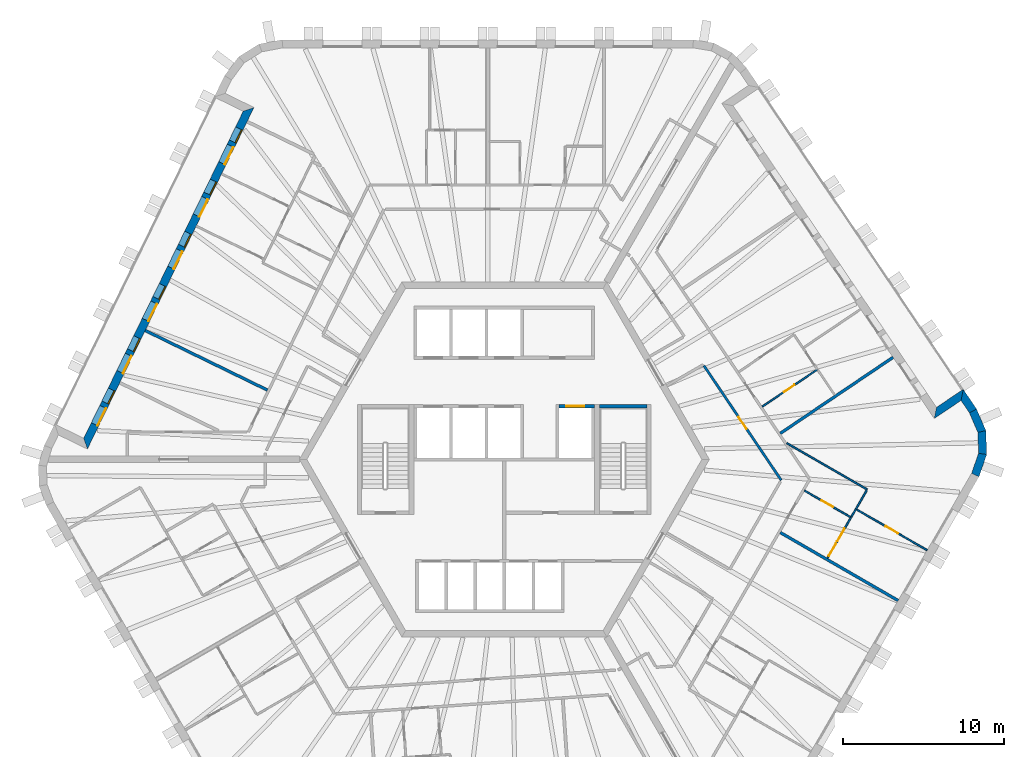
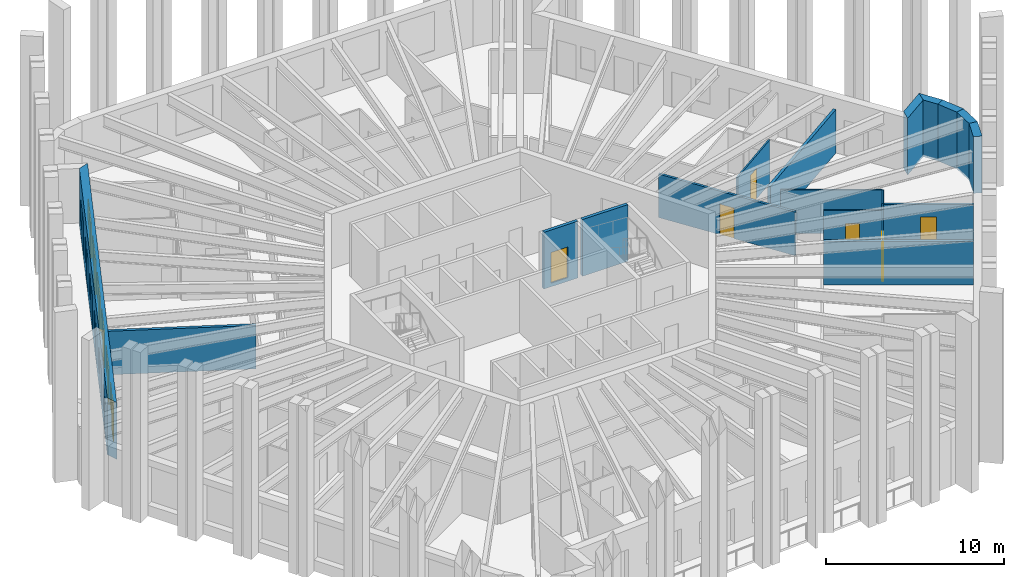
# One storey, part 7 of 12: 19 walls, 13 doors, 6 windows, 19 openings.
"""IFC4 building model written with IfcOpenShell, lengths in metres."""

from ifc_helpers import new_model, si_unit, direction, frame, frame_2d, origin, place, context, subcontext, project, spatial, polyline, rectangle, outline, extrude, material, layer, layer_set, type_object, element, fill, save


model = new_model("IFC4")

# Units and contexts
model_context = context("Model", 3, precision=1e-05, world=origin(), true_north=direction((0.0, 1.0)))
body_context = subcontext(model_context, "Body", "Model", "MODEL_VIEW")
ifc_project = project(units=[si_unit("LENGTHUNIT", "METRE"), si_unit("AREAUNIT", "SQUARE_METRE"), si_unit("VOLUMEUNIT", "CUBIC_METRE"), si_unit("PLANEANGLEUNIT", "RADIAN"), si_unit("MASSUNIT", "GRAM", prefix="KILO")], contexts=[model_context])

# Site, building, storey
site_placement = place(None, origin())
site = spatial("IfcSite", under=ifc_project, at=site_placement, CompositionType="ELEMENT")
building_placement = place(site_placement, origin())
building = spatial("IfcBuilding", under=site, at=building_placement, Name="Tarnside Tower", CompositionType="ELEMENT")
storey_placement = place(building_placement, frame((0.0, 0.0, 291.300048828125)))
storey = spatial("IfcBuildingStorey", under=building, at=storey_placement, Name="L70", CompositionType="ELEMENT", Elevation=291.300048828125)

# Walls
ifc_material_1 = material(Name="Gypsum board partition on steel studs", Category="steel")
ifc_layer_1 = layer(ifc_material_1, 0.10009765625)
ifc_layer_set_1 = layer_set([ifc_layer_1], Name="Bathroom wall 100")
wall_type_1 = type_object("IfcWallType", Name="Bathroom wall 100", PredefinedType="PARTITIONING", material=ifc_layer_set_1)
wall_1_placement = place(storey_placement, frame((17.50390625, 1.0078125, 0.0), z_axis=(0.0, 0.0, 1.0), x_axis=(0.866022112445, -0.500005700723, 0.0)))
element("IfcWall", 1, at=wall_1_placement, inside=storey, type_object=wall_type_1, Name="Bathroom wall 23149", PredefinedType="PARTITIONING", context=body_context, shape_type="SweptSolid", body=[
    extrude(rectangle(XDim=5.7451171875, YDim=0.10009765625, at=frame_2d((2.87255859375, 0.0))), origin(), (0.0, 0.0, 1.0), 2.98779296875),
])
wall_2_placement = place(storey_placement, frame((22.454345703125, -1.907958984375, 0.0), z_axis=(0.0, 0.0, 1.0), x_axis=(-0.500003806764, -0.866023205937, 0.0)))
element("IfcWall", 2, at=wall_2_placement, inside=storey, type_object=wall_type_1, Name="Bathroom wall 23150", PredefinedType="PARTITIONING", context=body_context, shape_type="SweptSolid", body=[
    extrude(rectangle(XDim=1.35205078125, YDim=0.10009765625, at=frame_2d((0.676025390625, 0.0))), origin(), (0.0, 0.0, 1.0), 2.98779296875),
])

# Wall, opening, door
wall_3_placement = place(storey_placement, frame((21.479248046875, -3.5966796875, 0.0), z_axis=(0.0, 0.0, 1.0), x_axis=(-0.866033959199, 0.499985181294, 0.0)))
wall_3 = element("IfcWall", 3, at=wall_3_placement, inside=storey, type_object=wall_type_1, Name="Bathroom wall 23154", PredefinedType="PARTITIONING", context=body_context, shape_type="SweptSolid", body=[
    extrude(rectangle(XDim=3.32470703125, YDim=0.10009765625, at=frame_2d((1.662353515625, 0.0))), origin(), (0.0, 0.0, 1.0), 2.98779296875),
])
opening_1_placement = place(wall_3_placement, frame((1.300048828125, 0.0, 0.0)))
opening_1 = element("IfcOpeningElement", 4, at=opening_1_placement, cuts=wall_3, Name="Opening D-B1", PredefinedType="OPENING", context=body_context, shape_type="SweptSolid", body=[
    extrude(rectangle(XDim=0.800048828125, YDim=2.10009765625, at=frame_2d((0.39990234375, 1.050048828125))), frame((0.0, 0.06005859375, 0.0), z_axis=(0.0, -1.0, 0.0), x_axis=(1.0, 0.0, 0.0)), (0.0, 0.0, 1.0), 0.1201171875),
])
ifc_material_2 = material(Name="Timber door leaf", Category="wood")
door_type_1 = type_object("IfcDoorType", Name="Bathroom door 800", OperationType="NOTDEFINED", PredefinedType="DOOR", material=ifc_material_2)
door_1_placement = place(opening_1_placement, origin())
door_1 = element("IfcDoor", 5, at=door_1_placement, inside=storey, type_object=door_type_1, Name="Bathroom door 23047", OperationType="SINGLE_SWING_LEFT", OverallHeight=2.10009765625, OverallWidth=0.800048828125, PredefinedType="DOOR", context=body_context, shape_type="SweptSolid", body=[
    extrude(rectangle(XDim=0.800048828125, YDim=2.10009765625, at=frame_2d((0.39990234375, 1.050048828125))), frame((0.0, 0.02490234375, 0.0), z_axis=(0.0, -1.0, 0.0), x_axis=(1.0, 0.0, 0.0)), (0.0, 0.0, 1.0), 0.050048828125),
])
fill(opening_1, door_1)

# Wall
wall_4_placement = place(storey_placement, frame((21.50341796875, -3.55517578125, 0.0), z_axis=(0.0, 0.0, 1.0), x_axis=(0.499850094852, 0.866111934265, 0.0)))
element("IfcWall", 6, at=wall_4_placement, inside=storey, type_object=wall_type_1, Name="Bathroom wall 23156", PredefinedType="PARTITIONING", context=body_context, shape_type="SweptSolid", body=[
    extrude(rectangle(XDim=0.552001953125, YDim=0.10009765625, at=frame_2d((0.27587890625, 0.0))), origin(), (0.0, 0.0, 1.0), 2.98779296875),
])

# Wall, opening, door
wall_5_placement = place(storey_placement, frame((15.978515625, 3.269287109375, 0.0), z_axis=(0.0, 0.0, 1.0), x_axis=(0.829051710838, 0.559171942033, 0.0)))
wall_5 = element("IfcWall", 7, at=wall_5_placement, inside=storey, type_object=wall_type_1, Name="Bathroom wall 23161", PredefinedType="PARTITIONING", context=body_context, shape_type="SweptSolid", body=[
    extrude(rectangle(XDim=4.125, YDim=0.10009765625, at=frame_2d((2.0625, 0.0))), origin(), (0.0, 0.0, 1.0), 2.98779296875),
])
opening_2_placement = place(wall_5_placement, frame((1.625, 0.0, 0.0)))
opening_2 = element("IfcOpeningElement", 8, at=opening_2_placement, cuts=wall_5, Name="Opening D-B1", PredefinedType="OPENING", context=body_context, shape_type="SweptSolid", body=[
    extrude(rectangle(XDim=0.800048828125, YDim=2.10009765625, at=frame_2d((0.39990234375, 1.050048828125))), frame((0.0, 0.06005859375, 0.0), z_axis=(0.0, -1.0, 0.0), x_axis=(1.0, 0.0, 0.0)), (0.0, 0.0, 1.0), 0.1201171875),
])
door_2_placement = place(opening_2_placement, origin())
door_2 = element("IfcDoor", 9, at=door_2_placement, inside=storey, type_object=door_type_1, Name="Bathroom door 23052", OperationType="SINGLE_SWING_RIGHT", OverallHeight=2.10009765625, OverallWidth=0.800048828125, PredefinedType="DOOR", context=body_context, shape_type="SweptSolid", body=[
    extrude(rectangle(XDim=0.800048828125, YDim=2.10009765625, at=frame_2d((0.39990234375, 1.050048828125))), frame((0.0, 0.02490234375, 0.0), z_axis=(0.0, -1.0, 0.0), x_axis=(1.0, 0.0, 0.0)), (0.0, 0.0, 1.0), 0.050048828125),
])
fill(opening_2, door_2)

ifc_layer_2 = layer(ifc_material_1, 0.14990234375)
ifc_layer_set_2 = layer_set([ifc_layer_2], Name="Corridor wall 150 EI 60")
wall_type_2 = type_object("IfcWallType", Name="Corridor wall 150 EI 60", PredefinedType="PARTITIONING", material=ifc_layer_set_2)
wall_6_placement = place(storey_placement, frame((12.36669921875, 5.8076171875, 0.0), z_axis=(0.0, 0.0, 1.0), x_axis=(0.559187256666, -0.829041381345, 0.0)))
wall_6 = element("IfcWall", 10, at=wall_6_placement, inside=storey, type_object=wall_type_2, Name="Corridor wall 23070", PredefinedType="PARTITIONING", context=body_context, shape_type="SweptSolid", body=[
    extrude(rectangle(XDim=8.560302734375, YDim=0.14990234375, at=frame_2d((4.2802734375, 0.0))), origin(), (0.0, 0.0, 1.0), 2.98779296875),
])
opening_3_placement = place(wall_6_placement, frame((3.830078125, 0.0, 0.0)))
opening_3 = element("IfcOpeningElement", 11, at=opening_3_placement, cuts=wall_6, Name="Opening D-S1", PredefinedType="OPENING", context=body_context, shape_type="SweptSolid", body=[
    extrude(rectangle(XDim=0.89990234375, YDim=2.10009765625, at=frame_2d((0.449951171875, 1.050048828125))), frame((0.0, 0.0849609375, 0.0), z_axis=(0.0, -1.0, 0.0), x_axis=(1.0, 0.0, 0.0)), (0.0, 0.0, 1.0), 0.169921875),
])
door_type_2 = type_object("IfcDoorType", Name="Service room door 900 FD30S", OperationType="NOTDEFINED", PredefinedType="DOOR", material=ifc_material_2)
door_3_placement = place(opening_3_placement, origin())
door_3 = element("IfcDoor", 12, at=door_3_placement, inside=storey, type_object=door_type_2, Name="Service door 23062", OperationType="SINGLE_SWING_RIGHT", OverallHeight=2.10009765625, OverallWidth=0.89990234375, PredefinedType="DOOR", context=body_context, shape_type="SweptSolid", body=[
    extrude(rectangle(XDim=0.89990234375, YDim=2.10009765625, at=frame_2d((0.449951171875, 1.050048828125))), frame((0.0, 0.02490234375, 0.0), z_axis=(0.0, -1.0, 0.0), x_axis=(1.0, 0.0, 0.0)), (0.0, 0.0, 1.0), 0.050048828125),
])
fill(opening_3, door_3)

# Walls
ifc_layer_3 = layer(ifc_material_1, 0.179931640625)
ifc_layer_set_3 = layer_set([ifc_layer_3], Name="Demising wall 180 EI 60")
wall_type_3 = type_object("IfcWallType", Name="Demising wall 180 EI 60", PredefinedType="PARTITIONING", material=ifc_layer_set_3)
for number, where, z_axis, x_axis, name in (
    (13, (-22.25048828125, 7.987060546875, 0.0), (0.0, 0.0, 1.0), (0.898788496909, -0.438382524543, 0.0), "Demising wall 23103"),
    (14, (24.39599609375, -8.744873046875, 0.0), (0.0, 0.0, 1.0), (-0.866014270972, 0.500019282102, 0.0), "Demising wall 23142"),
    (15, (24.08154296875, 6.322509765625, 0.0), (0.0, 0.0, 1.0), (-0.829037762759, -0.559192621481, 0.0), "Demising wall 23152"),
):
    element("IfcWall", number, at=place(storey_placement, frame(where, z_axis=z_axis, x_axis=x_axis)), inside=storey, type_object=wall_type_3, Name=name, PredefinedType="PARTITIONING", context=body_context, shape_type="SweptSolid", body=[
        extrude(rectangle(XDim=8.425048828125, YDim=0.179931640625, at=frame_2d((4.21240234375, 0.0))), origin(), (0.0, 0.0, 1.0), 2.98779296875),
    ])

# Wall, opening, door
ifc_material_3 = material(Name="Concrete C40/50", Category="concrete")
ifc_layer_4 = layer(ifc_material_3, 0.199951171875)
ifc_layer_set_4 = layer_set([ifc_layer_4], Name="Lift shaft wall 200 C40/50")
wall_type_4 = type_object("IfcWallType", Name="Lift shaft wall 200 C40/50", PredefinedType="SHEAR", material=ifc_layer_set_4)
wall_7_placement = place(storey_placement, frame((3.39990234375, 3.300048828125, -0.25), z_axis=(0.0, 0.0, 1.0), x_axis=(1.0, 0.0, 0.0)))
wall_7 = element("IfcWall", 16, at=wall_7_placement, inside=storey, type_object=wall_type_4, Name="L70 lift shaft front wall R2 2", PredefinedType="SHEAR", context=body_context, shape_type="SweptSolid", body=[
    extrude(rectangle(XDim=2.2001953125, YDim=0.199951171875, at=frame_2d((1.10009765625, 0.0))), origin(), (0.0, 0.0, 1.0), 3.89990234375),
])
opening_4_placement = place(wall_7_placement, frame((0.449951171875, 0.0, 0.25)))
opening_4 = element("IfcOpeningElement", 17, at=opening_4_placement, cuts=wall_7, Name="Opening LD", PredefinedType="OPENING", context=body_context, shape_type="SweptSolid", body=[
    extrude(rectangle(XDim=1.10009765625, YDim=2.10009765625, at=frame_2d((0.550048828125, 1.050048828125))), frame((0.0, 0.10986328125, 0.0), z_axis=(0.0, -1.0, 0.0), x_axis=(1.0, 0.0, 0.0)), (0.0, 0.0, 1.0), 0.219970703125),
])
ifc_material_4 = material(Name="Stainless steel", Category="steel")
door_type_3 = type_object("IfcDoorType", Name="Lift landing door 1100x2100", OperationType="NOTDEFINED", PredefinedType="DOOR", material=ifc_material_4)
door_4_placement = place(opening_4_placement, origin())
door_4 = element("IfcDoor", 18, at=door_4_placement, inside=storey, type_object=door_type_3, Name="Express sky-lobby shuttle 2 landing door L70", OperationType="SLIDING_TO_LEFT", OverallHeight=2.10009765625, OverallWidth=1.10009765625, PredefinedType="DOOR", context=body_context, shape_type="SweptSolid", body=[
    extrude(rectangle(XDim=1.10009765625, YDim=2.10009765625, at=frame_2d((0.550048828125, 1.050048828125))), frame((0.0, 0.02490234375, 0.0), z_axis=(0.0, -1.0, 0.0), x_axis=(1.0, 0.0, 0.0)), (0.0, 0.0, 1.0), 0.050048828125),
])
fill(opening_4, door_4)

# Wall
wall_8_placement = place(storey_placement, frame((5.89990234375, 3.300048828125, -0.25), z_axis=(0.0, 0.0, 1.0), x_axis=(1.0, 0.0, 0.0)))
element("IfcWall", 19, at=wall_8_placement, inside=storey, type_object=wall_type_4, Name="L70 stair 1 enclosure cap wall n", PredefinedType="SHEAR", context=body_context, shape_type="SweptSolid", body=[
    extrude(rectangle(XDim=2.9501953125, YDim=0.199951171875, at=frame_2d((1.47509765625, 0.0))), origin(), (0.0, 0.0, 1.0), 3.89990234375),
])

# Wall, openings, doors, windows
ifc_material_5 = material(Name="Dark zinc cladding")
ifc_layer_5 = layer(ifc_material_5, 0.10205078125)
ifc_material_6 = material(Name="Concrete C60/75 precast", Category="concrete")
ifc_layer_6 = layer(ifc_material_6, 0.298095703125)
ifc_material_7 = material(Name="Mineral wool insulation")
ifc_layer_7 = layer(ifc_material_7, 0.10009765625)
ifc_layer_set_5 = layer_set([ifc_layer_5, ifc_layer_6, ifc_layer_7], Name="Loggia wall 500 zinc faced")
wall_type_5 = type_object("IfcWallType", Name="Loggia wall 500 zinc faced", PredefinedType="SOLIDWALL", material=ifc_layer_set_5)
wall_9_placement = place(storey_placement, frame((-15.845947265625, 21.6884765625, -0.150146484375), z_axis=(0.0, 0.0, 1.0), x_axis=(-0.438377502627, -0.898790946322, 0.0)))
wall_9 = element("IfcWall", 20, at=wall_9_placement, inside=storey, type_object=wall_type_5, Name="Tube wall L70 F2 back 06", PredefinedType="SOLIDWALL", context=body_context, shape_type="SweptSolid", body=[
    extrude(outline(polyline([(0.25, -0.25), (22.794677734375, -0.25), (23.294677734375, 0.25), (-0.25, 0.25), (0.25, -0.25)])), origin(), (0.0, 0.0, 1.0), 3.900146484375),
])
opening_5_placement = place(wall_9_placement, frame((1.322509765625, 0.0, 1.050048828125)))
opening_5 = element("IfcOpeningElement", 21, at=opening_5_placement, cuts=wall_9, Name="Opening WL500", PredefinedType="OPENING", context=body_context, shape_type="SweptSolid", body=[
    extrude(rectangle(XDim=0.89990234375, YDim=1.5, at=frame_2d((0.449951171875, 0.75))), frame((0.0, 0.260009765625, 0.0), z_axis=(0.0, -1.0, 0.0), x_axis=(1.0, 0.0, 0.0)), (0.0, 0.0, 1.0), 0.52001953125),
])
opening_6_placement = place(wall_9_placement, frame((2.5224609375, 0.0, 0.14990234375)))
opening_6 = element("IfcOpeningElement", 22, at=opening_6_placement, cuts=wall_9, Name="Opening DB500", PredefinedType="OPENING", context=body_context, shape_type="SweptSolid", body=[
    extrude(rectangle(XDim=1.199951171875, YDim=2.39990234375, at=frame_2d((0.60009765625, 1.199951171875))), frame((0.0, 0.260009765625, 0.0), z_axis=(0.0, -1.0, 0.0), x_axis=(1.0, 0.0, 0.0)), (0.0, 0.0, 1.0), 0.52001953125),
])
opening_7_placement = place(wall_9_placement, frame((4.92236328125, 0.0, 1.050048828125)))
opening_7 = element("IfcOpeningElement", 23, at=opening_7_placement, cuts=wall_9, Name="Opening WL500", PredefinedType="OPENING", context=body_context, shape_type="SweptSolid", body=[
    extrude(rectangle(XDim=0.89990234375, YDim=1.5, at=frame_2d((0.449951171875, 0.75))), frame((0.0, 0.260009765625, 0.0), z_axis=(0.0, -1.0, 0.0), x_axis=(1.0, 0.0, 0.0)), (0.0, 0.0, 1.0), 0.52001953125),
])
opening_8_placement = place(wall_9_placement, frame((6.122314453125, 0.0, 0.14990234375)))
opening_8 = element("IfcOpeningElement", 24, at=opening_8_placement, cuts=wall_9, Name="Opening DB500", PredefinedType="OPENING", context=body_context, shape_type="SweptSolid", body=[
    extrude(rectangle(XDim=1.199951171875, YDim=2.39990234375, at=frame_2d((0.60009765625, 1.199951171875))), frame((0.0, 0.260009765625, 0.0), z_axis=(0.0, -1.0, 0.0), x_axis=(1.0, 0.0, 0.0)), (0.0, 0.0, 1.0), 0.52001953125),
])
opening_9_placement = place(wall_9_placement, frame((8.5224609375, 0.0, 1.050048828125)))
opening_9 = element("IfcOpeningElement", 25, at=opening_9_placement, cuts=wall_9, Name="Opening WL500", PredefinedType="OPENING", context=body_context, shape_type="SweptSolid", body=[
    extrude(rectangle(XDim=0.89990234375, YDim=1.5, at=frame_2d((0.449951171875, 0.75))), frame((0.0, 0.260009765625, 0.0), z_axis=(0.0, -1.0, 0.0), x_axis=(1.0, 0.0, 0.0)), (0.0, 0.0, 1.0), 0.52001953125),
])
opening_10_placement = place(wall_9_placement, frame((9.722412109375, 0.0, 0.14990234375)))
opening_10 = element("IfcOpeningElement", 26, at=opening_10_placement, cuts=wall_9, Name="Opening DB500", PredefinedType="OPENING", context=body_context, shape_type="SweptSolid", body=[
    extrude(rectangle(XDim=1.199951171875, YDim=2.39990234375, at=frame_2d((0.60009765625, 1.199951171875))), frame((0.0, 0.260009765625, 0.0), z_axis=(0.0, -1.0, 0.0), x_axis=(1.0, 0.0, 0.0)), (0.0, 0.0, 1.0), 0.52001953125),
])
opening_11_placement = place(wall_9_placement, frame((12.122314453125, 0.0, 1.050048828125)))
opening_11 = element("IfcOpeningElement", 27, at=opening_11_placement, cuts=wall_9, Name="Opening WL500", PredefinedType="OPENING", context=body_context, shape_type="SweptSolid", body=[
    extrude(rectangle(XDim=0.89990234375, YDim=1.5, at=frame_2d((0.449951171875, 0.75))), frame((0.0, 0.260009765625, 0.0), z_axis=(0.0, -1.0, 0.0), x_axis=(1.0, 0.0, 0.0)), (0.0, 0.0, 1.0), 0.52001953125),
])
opening_12_placement = place(wall_9_placement, frame((13.322509765625, 0.0, 0.14990234375)))
opening_12 = element("IfcOpeningElement", 28, at=opening_12_placement, cuts=wall_9, Name="Opening DB500", PredefinedType="OPENING", context=body_context, shape_type="SweptSolid", body=[
    extrude(rectangle(XDim=1.199951171875, YDim=2.39990234375, at=frame_2d((0.60009765625, 1.199951171875))), frame((0.0, 0.260009765625, 0.0), z_axis=(0.0, -1.0, 0.0), x_axis=(1.0, 0.0, 0.0)), (0.0, 0.0, 1.0), 0.52001953125),
])
opening_13_placement = place(wall_9_placement, frame((15.722412109375, 0.0, 1.050048828125)))
opening_13 = element("IfcOpeningElement", 29, at=opening_13_placement, cuts=wall_9, Name="Opening WL500", PredefinedType="OPENING", context=body_context, shape_type="SweptSolid", body=[
    extrude(rectangle(XDim=0.89990234375, YDim=1.5, at=frame_2d((0.449951171875, 0.75))), frame((0.0, 0.260009765625, 0.0), z_axis=(0.0, -1.0, 0.0), x_axis=(1.0, 0.0, 0.0)), (0.0, 0.0, 1.0), 0.52001953125),
])
opening_14_placement = place(wall_9_placement, frame((16.92236328125, 0.0, 0.14990234375)))
opening_14 = element("IfcOpeningElement", 30, at=opening_14_placement, cuts=wall_9, Name="Opening DB500", PredefinedType="OPENING", context=body_context, shape_type="SweptSolid", body=[
    extrude(rectangle(XDim=1.199951171875, YDim=2.39990234375, at=frame_2d((0.60009765625, 1.199951171875))), frame((0.0, 0.260009765625, 0.0), z_axis=(0.0, -1.0, 0.0), x_axis=(1.0, 0.0, 0.0)), (0.0, 0.0, 1.0), 0.52001953125),
])
opening_15_placement = place(wall_9_placement, frame((19.322509765625, 0.0, 1.050048828125)))
opening_15 = element("IfcOpeningElement", 31, at=opening_15_placement, cuts=wall_9, Name="Opening WL500", PredefinedType="OPENING", context=body_context, shape_type="SweptSolid", body=[
    extrude(rectangle(XDim=0.89990234375, YDim=1.5, at=frame_2d((0.449951171875, 0.75))), frame((0.0, 0.260009765625, 0.0), z_axis=(0.0, -1.0, 0.0), x_axis=(1.0, 0.0, 0.0)), (0.0, 0.0, 1.0), 0.52001953125),
])
opening_16_placement = place(wall_9_placement, frame((20.5224609375, 0.0, 0.14990234375)))
opening_16 = element("IfcOpeningElement", 32, at=opening_16_placement, cuts=wall_9, Name="Opening DB500", PredefinedType="OPENING", context=body_context, shape_type="SweptSolid", body=[
    extrude(rectangle(XDim=1.199951171875, YDim=2.39990234375, at=frame_2d((0.60009765625, 1.199951171875))), frame((0.0, 0.260009765625, 0.0), z_axis=(0.0, -1.0, 0.0), x_axis=(1.0, 0.0, 0.0)), (0.0, 0.0, 1.0), 0.52001953125),
])
ifc_material_8 = material(Name="Aluminium-framed double glazing", Category="aluminium")
door_type_4 = type_object("IfcDoorType", Name="Balcony sliding door 1200 x 2400 in 500 wall", OperationType="SLIDING_TO_LEFT", PredefinedType="DOOR", material=ifc_material_8)
door_5_placement = place(opening_6_placement, frame((0.0, 0.1748046875, 0.0)))
door_5 = element("IfcDoor", 33, at=door_5_placement, inside=storey, type_object=door_type_4, Name="E.BD.L70.F2.00", OperationType="SLIDING_TO_LEFT", OverallHeight=2.39990234375, OverallWidth=1.199951171875, PredefinedType="DOOR", context=body_context, shape_type="SweptSolid", body=[
    extrude(rectangle(XDim=1.199951171875, YDim=2.39990234375, at=frame_2d((0.60009765625, 1.199951171875))), frame((0.0, 0.02490234375, 0.0), z_axis=(0.0, -1.0, 0.0), x_axis=(1.0, 0.0, 0.0)), (0.0, 0.0, 1.0), 0.050048828125),
])
fill(opening_6, door_5)
door_6_placement = place(opening_8_placement, frame((0.0, 0.1748046875, 0.0)))
door_6 = element("IfcDoor", 34, at=door_6_placement, inside=storey, type_object=door_type_4, Name="E.BD.L70.F2.01", OperationType="SLIDING_TO_LEFT", OverallHeight=2.39990234375, OverallWidth=1.199951171875, PredefinedType="DOOR", context=body_context, shape_type="SweptSolid", body=[
    extrude(rectangle(XDim=1.199951171875, YDim=2.39990234375, at=frame_2d((0.60009765625, 1.199951171875))), frame((0.0, 0.02490234375, 0.0), z_axis=(0.0, -1.0, 0.0), x_axis=(1.0, 0.0, 0.0)), (0.0, 0.0, 1.0), 0.050048828125),
])
fill(opening_8, door_6)
door_7_placement = place(opening_10_placement, frame((0.0, 0.1748046875, 0.0)))
door_7 = element("IfcDoor", 35, at=door_7_placement, inside=storey, type_object=door_type_4, Name="E.BD.L70.F2.02", OperationType="SLIDING_TO_LEFT", OverallHeight=2.39990234375, OverallWidth=1.199951171875, PredefinedType="DOOR", context=body_context, shape_type="SweptSolid", body=[
    extrude(rectangle(XDim=1.199951171875, YDim=2.39990234375, at=frame_2d((0.60009765625, 1.199951171875))), frame((0.0, 0.02490234375, 0.0), z_axis=(0.0, -1.0, 0.0), x_axis=(1.0, 0.0, 0.0)), (0.0, 0.0, 1.0), 0.050048828125),
])
fill(opening_10, door_7)
door_8_placement = place(opening_12_placement, frame((0.0, 0.1748046875, 0.0)))
door_8 = element("IfcDoor", 36, at=door_8_placement, inside=storey, type_object=door_type_4, Name="E.BD.L70.F2.03", OperationType="SLIDING_TO_LEFT", OverallHeight=2.39990234375, OverallWidth=1.199951171875, PredefinedType="DOOR", context=body_context, shape_type="SweptSolid", body=[
    extrude(rectangle(XDim=1.199951171875, YDim=2.39990234375, at=frame_2d((0.60009765625, 1.199951171875))), frame((0.0, 0.02490234375, 0.0), z_axis=(0.0, -1.0, 0.0), x_axis=(1.0, 0.0, 0.0)), (0.0, 0.0, 1.0), 0.050048828125),
])
fill(opening_12, door_8)
door_9_placement = place(opening_14_placement, frame((0.0, 0.1748046875, 0.0)))
door_9 = element("IfcDoor", 37, at=door_9_placement, inside=storey, type_object=door_type_4, Name="E.BD.L70.F2.04", OperationType="SLIDING_TO_LEFT", OverallHeight=2.39990234375, OverallWidth=1.199951171875, PredefinedType="DOOR", context=body_context, shape_type="SweptSolid", body=[
    extrude(rectangle(XDim=1.199951171875, YDim=2.39990234375, at=frame_2d((0.60009765625, 1.199951171875))), frame((0.0, 0.02490234375, 0.0), z_axis=(0.0, -1.0, 0.0), x_axis=(1.0, 0.0, 0.0)), (0.0, 0.0, 1.0), 0.050048828125),
])
fill(opening_14, door_9)
door_10_placement = place(opening_16_placement, frame((0.0, 0.1748046875, 0.0)))
door_10 = element("IfcDoor", 38, at=door_10_placement, inside=storey, type_object=door_type_4, Name="E.BD.L70.F2.05", OperationType="SLIDING_TO_LEFT", OverallHeight=2.39990234375, OverallWidth=1.199951171875, PredefinedType="DOOR", context=body_context, shape_type="SweptSolid", body=[
    extrude(rectangle(XDim=1.199951171875, YDim=2.39990234375, at=frame_2d((0.60009765625, 1.199951171875))), frame((0.0, 0.02490234375, 0.0), z_axis=(0.0, -1.0, 0.0), x_axis=(1.0, 0.0, 0.0)), (0.0, 0.0, 1.0), 0.050048828125),
])
fill(opening_16, door_10)
window_type = type_object("IfcWindowType", Name="Loggia window 900 x 1500 in 500 wall", PartitioningType="SINGLE_PANEL", PredefinedType="WINDOW", material=ifc_material_8)
window_1_placement = place(opening_5_placement, frame((0.0, 0.179931640625, 0.0)))
window_1 = element("IfcWindow", 39, at=window_1_placement, inside=storey, type_object=window_type, Name="E.LW.L70.F2.00", OverallHeight=1.5, OverallWidth=0.89990234375, PartitioningType="SINGLE_PANEL", PredefinedType="WINDOW", context=body_context, shape_type="SweptSolid", body=[
    extrude(rectangle(XDim=0.89990234375, YDim=1.5, at=frame_2d((0.449951171875, 0.75))), frame((0.0, 0.030029296875, 0.0), z_axis=(0.0, -1.0, 0.0), x_axis=(1.0, 0.0, 0.0)), (0.0, 0.0, 1.0), 0.06005859375),
])
fill(opening_5, window_1)
window_2_placement = place(opening_7_placement, frame((0.0, 0.179931640625, 0.0)))
window_2 = element("IfcWindow", 40, at=window_2_placement, inside=storey, type_object=window_type, Name="E.LW.L70.F2.01", OverallHeight=1.5, OverallWidth=0.89990234375, PartitioningType="SINGLE_PANEL", PredefinedType="WINDOW", context=body_context, shape_type="SweptSolid", body=[
    extrude(rectangle(XDim=0.89990234375, YDim=1.5, at=frame_2d((0.449951171875, 0.75))), frame((0.0, 0.030029296875, 0.0), z_axis=(0.0, -1.0, 0.0), x_axis=(1.0, 0.0, 0.0)), (0.0, 0.0, 1.0), 0.06005859375),
])
fill(opening_7, window_2)
window_3_placement = place(opening_9_placement, frame((0.0, 0.179931640625, 0.0)))
window_3 = element("IfcWindow", 41, at=window_3_placement, inside=storey, type_object=window_type, Name="E.LW.L70.F2.02", OverallHeight=1.5, OverallWidth=0.89990234375, PartitioningType="SINGLE_PANEL", PredefinedType="WINDOW", context=body_context, shape_type="SweptSolid", body=[
    extrude(rectangle(XDim=0.89990234375, YDim=1.5, at=frame_2d((0.449951171875, 0.75))), frame((0.0, 0.030029296875, 0.0), z_axis=(0.0, -1.0, 0.0), x_axis=(1.0, 0.0, 0.0)), (0.0, 0.0, 1.0), 0.06005859375),
])
fill(opening_9, window_3)
window_4_placement = place(opening_11_placement, frame((0.0, 0.179931640625, 0.0)))
window_4 = element("IfcWindow", 42, at=window_4_placement, inside=storey, type_object=window_type, Name="E.LW.L70.F2.03", OverallHeight=1.5, OverallWidth=0.89990234375, PartitioningType="SINGLE_PANEL", PredefinedType="WINDOW", context=body_context, shape_type="SweptSolid", body=[
    extrude(rectangle(XDim=0.89990234375, YDim=1.5, at=frame_2d((0.449951171875, 0.75))), frame((0.0, 0.030029296875, 0.0), z_axis=(0.0, -1.0, 0.0), x_axis=(1.0, 0.0, 0.0)), (0.0, 0.0, 1.0), 0.06005859375),
])
fill(opening_11, window_4)
window_5_placement = place(opening_13_placement, frame((0.0, 0.179931640625, 0.0)))
window_5 = element("IfcWindow", 43, at=window_5_placement, inside=storey, type_object=window_type, Name="E.LW.L70.F2.04", OverallHeight=1.5, OverallWidth=0.89990234375, PartitioningType="SINGLE_PANEL", PredefinedType="WINDOW", context=body_context, shape_type="SweptSolid", body=[
    extrude(rectangle(XDim=0.89990234375, YDim=1.5, at=frame_2d((0.449951171875, 0.75))), frame((0.0, 0.030029296875, 0.0), z_axis=(0.0, -1.0, 0.0), x_axis=(1.0, 0.0, 0.0)), (0.0, 0.0, 1.0), 0.06005859375),
])
fill(opening_13, window_5)
window_6_placement = place(opening_15_placement, frame((0.0, 0.179931640625, 0.0)))
window_6 = element("IfcWindow", 44, at=window_6_placement, inside=storey, type_object=window_type, Name="E.LW.L70.F2.05", OverallHeight=1.5, OverallWidth=0.89990234375, PartitioningType="SINGLE_PANEL", PredefinedType="WINDOW", context=body_context, shape_type="SweptSolid", body=[
    extrude(rectangle(XDim=0.89990234375, YDim=1.5, at=frame_2d((0.449951171875, 0.75))), frame((0.0, 0.030029296875, 0.0), z_axis=(0.0, -1.0, 0.0), x_axis=(1.0, 0.0, 0.0)), (0.0, 0.0, 1.0), 0.06005859375),
])
fill(opening_15, window_6)

# Walls
wall_10_placement = place(storey_placement, frame((29.034912109375, 3.00244140625, -0.150146484375), z_axis=(0.0, 0.0, 1.0), x_axis=(-0.559200218553, 0.829032638423, 0.0)))
element("IfcWall", 45, at=wall_10_placement, inside=storey, type_object=wall_type_5, Name="Tube wall L70 F6 stub 28", PredefinedType="SOLIDWALL", context=body_context, shape_type="SweptSolid", body=[
    extrude(outline(polyline([(-0.0234375, -0.25), (1.44970703125, -0.25), (0.94970703125, 0.25), (0.0234375, 0.25), (-0.0234375, -0.25)])), origin(), (0.0, 0.0, 1.0), 3.900146484375),
])
wall_11_placement = place(storey_placement, frame((28.364013671875, 3.9970703125, -0.150146484375), z_axis=(0.0, 0.0, 1.0), x_axis=(-0.829108975345, -0.5590870299, 0.0)))
element("IfcWall", 46, at=wall_11_placement, inside=storey, type_object=wall_type_5, Name="Tube wall L70 F6 return 29", PredefinedType="SOLIDWALL", context=body_context, shape_type="SweptSolid", body=[
    extrude(outline(polyline([(-0.25, -0.25), (1.75, -0.25), (2.25, 0.25), (0.25, 0.25), (-0.25, -0.25)])), origin(), (0.0, 0.0, 1.0), 3.900146484375),
])

# Wall, opening, door
ifc_layer_8 = layer(ifc_material_1, 0.10009765625)
ifc_layer_set_6 = layer_set([ifc_layer_8], Name="Partition 100")
wall_type_6 = type_object("IfcWallType", Name="Partition 100", PredefinedType="PARTITIONING", material=ifc_layer_set_6)
wall_12_placement = place(storey_placement, frame((21.822509765625, -3.10205078125, 0.0), z_axis=(0.0, 0.0, 1.0), x_axis=(0.866018134068, -0.500012591307, 0.0)))
wall_12 = element("IfcWall", 47, at=wall_12_placement, inside=storey, type_object=wall_type_6, Name="Partition wall 23151", PredefinedType="PARTITIONING", context=body_context, shape_type="SweptSolid", body=[
    extrude(rectangle(XDim=5.050048828125, YDim=0.10009765625, at=frame_2d((2.52490234375, 0.0))), origin(), (0.0, 0.0, 1.0), 2.98779296875),
])
opening_17_placement = place(wall_12_placement, frame((2.074951171875, 0.0, 0.0)))
opening_17 = element("IfcOpeningElement", 48, at=opening_17_placement, cuts=wall_12, Name="Opening D-I1", PredefinedType="OPENING", context=body_context, shape_type="SweptSolid", body=[
    extrude(rectangle(XDim=0.89990234375, YDim=2.10009765625, at=frame_2d((0.449951171875, 1.050048828125))), frame((0.0, 0.06005859375, 0.0), z_axis=(0.0, -1.0, 0.0), x_axis=(1.0, 0.0, 0.0)), (0.0, 0.0, 1.0), 0.1201171875),
])
door_type_5 = type_object("IfcDoorType", Name="Internal door 900", OperationType="NOTDEFINED", PredefinedType="DOOR", material=ifc_material_2)
door_11_placement = place(opening_17_placement, origin())
door_11 = element("IfcDoor", 49, at=door_11_placement, inside=storey, type_object=door_type_5, Name="Internal door 23057", OperationType="SINGLE_SWING_RIGHT", OverallHeight=2.10009765625, OverallWidth=0.89990234375, PredefinedType="DOOR", context=body_context, shape_type="SweptSolid", body=[
    extrude(rectangle(XDim=0.89990234375, YDim=2.10009765625, at=frame_2d((0.449951171875, 1.050048828125))), frame((0.0, 0.02490234375, 0.0), z_axis=(0.0, -1.0, 0.0), x_axis=(1.0, 0.0, 0.0)), (0.0, 0.0, 1.0), 0.050048828125),
])
fill(opening_17, door_11)

# Wall, openings, doors
wall_13_placement = place(storey_placement, frame((20.0244140625, -6.116943359375, 0.0), z_axis=(0.0, 0.0, 1.0), x_axis=(0.499935340648, 0.866062731661, 0.0)))
wall_13 = element("IfcWall", 50, at=wall_13_placement, inside=storey, type_object=wall_type_6, Name="Partition wall 23155", PredefinedType="PARTITIONING", context=body_context, shape_type="SweptSolid", body=[
    extrude(rectangle(XDim=2.912109375, YDim=0.10009765625, at=frame_2d((1.4560546875, 0.0))), origin(), (0.0, 0.0, 1.0), 2.98779296875),
])
opening_18_placement = place(wall_13_placement, frame((0.14990234375, 0.0, 0.0)))
opening_18 = element("IfcOpeningElement", 51, at=opening_18_placement, cuts=wall_13, Name="Opening D-I1", PredefinedType="OPENING", context=body_context, shape_type="SweptSolid", body=[
    extrude(rectangle(XDim=0.89990234375, YDim=2.10009765625, at=frame_2d((0.449951171875, 1.050048828125))), frame((0.0, 0.06005859375, 0.0), z_axis=(0.0, -1.0, 0.0), x_axis=(1.0, 0.0, 0.0)), (0.0, 0.0, 1.0), 0.1201171875),
])
opening_19_placement = place(wall_13_placement, frame((1.2099609375, 0.0, 0.0)))
opening_19 = element("IfcOpeningElement", 52, at=opening_19_placement, cuts=wall_13, Name="Opening D-I1", PredefinedType="OPENING", context=body_context, shape_type="SweptSolid", body=[
    extrude(rectangle(XDim=0.89990234375, YDim=2.10009765625, at=frame_2d((0.449951171875, 1.050048828125))), frame((0.0, 0.06005859375, 0.0), z_axis=(0.0, -1.0, 0.0), x_axis=(1.0, 0.0, 0.0)), (0.0, 0.0, 1.0), 0.1201171875),
])
door_12_placement = place(opening_18_placement, origin())
door_12 = element("IfcDoor", 53, at=door_12_placement, inside=storey, type_object=door_type_5, Name="Internal door 23049", OperationType="SINGLE_SWING_LEFT", OverallHeight=2.10009765625, OverallWidth=0.89990234375, PredefinedType="DOOR", context=body_context, shape_type="SweptSolid", body=[
    extrude(rectangle(XDim=0.89990234375, YDim=2.10009765625, at=frame_2d((0.449951171875, 1.050048828125))), frame((0.0, 0.02490234375, 0.0), z_axis=(0.0, -1.0, 0.0), x_axis=(1.0, 0.0, 0.0)), (0.0, 0.0, 1.0), 0.050048828125),
])
fill(opening_18, door_12)
door_13_placement = place(opening_19_placement, origin())
door_13 = element("IfcDoor", 54, at=door_13_placement, inside=storey, type_object=door_type_5, Name="Internal door 23050", OperationType="SINGLE_SWING_LEFT", OverallHeight=2.10009765625, OverallWidth=0.89990234375, PredefinedType="DOOR", context=body_context, shape_type="SweptSolid", body=[
    extrude(rectangle(XDim=0.89990234375, YDim=2.10009765625, at=frame_2d((0.449951171875, 1.050048828125))), frame((0.0, 0.02490234375, 0.0), z_axis=(0.0, -1.0, 0.0), x_axis=(1.0, 0.0, 0.0)), (0.0, 0.0, 1.0), 0.050048828125),
])
fill(opening_19, door_13)

# Walls
ifc_material_9 = material(Name="Facing brick", Category="masonry")
ifc_layer_9 = layer(ifc_material_9, 0.10205078125)
ifc_layer_10 = layer(ifc_material_6, 0.298095703125)
ifc_layer_11 = layer(ifc_material_7, 0.10009765625)
ifc_layer_set_7 = layer_set([ifc_layer_9, ifc_layer_10, ifc_layer_11], Name="Tube wall 500 brick faced")
wall_type_7 = type_object("IfcWallType", Name="Tube wall 500 brick faced", PredefinedType="SOLIDWALL", material=ifc_layer_set_7)
wall_14_placement = place(storey_placement, frame((29.173828125, -0.9697265625, -0.150146484375), z_axis=(0.0, 0.0, 1.0), x_axis=(0.330961348063, 0.943644311215, 0.0)))
element("IfcWall", 55, at=wall_14_placement, inside=storey, type_object=wall_type_7, Name="Tube wall L70 F5 chord 25", PredefinedType="SOLIDWALL", context=body_context, shape_type="SweptSolid", body=[
    extrude(outline(polyline([(-0.0234375, -0.25), (1.435302734375, -0.25), (1.341064453125, 0.25), (0.0234375, 0.25), (-0.0234375, -0.25)])), origin(), (0.0, 0.0, 1.0), 3.900146484375),
])
wall_15_placement = place(storey_placement, frame((29.63330078125, 0.34033203125, -0.150146484375), z_axis=(0.0, 0.0, 1.0), x_axis=(-0.034825746769, 0.999393399699, 0.0)))
element("IfcWall", 56, at=wall_15_placement, inside=storey, type_object=wall_type_7, Name="Tube wall L70 F5 chord 26", PredefinedType="SOLIDWALL", context=body_context, shape_type="SweptSolid", body=[
    extrude(outline(polyline([(-0.047119140625, -0.25), (1.43505859375, -0.25), (1.3408203125, 0.25), (0.047119140625, 0.25), (-0.047119140625, -0.25)])), origin(), (0.0, 0.0, 1.0), 3.900146484375),
])
wall_16_placement = place(storey_placement, frame((29.5849609375, 1.7275390625, -0.150146484375), z_axis=(0.0, 0.0, 1.0), x_axis=(-0.396146339195, 0.918187387162, 0.0)))
element("IfcWall", 57, at=wall_16_placement, inside=storey, type_object=wall_type_7, Name="Tube wall L70 F5 chord 27", PredefinedType="SOLIDWALL", context=body_context, shape_type="SweptSolid", body=[
    extrude(outline(polyline([(-0.047119140625, -0.25), (1.411865234375, -0.25), (1.364990234375, 0.25), (0.047119140625, 0.25), (-0.047119140625, -0.25)])), origin(), (0.0, 0.0, 1.0), 3.900146484375),
])

save(model, "model.ifc")
